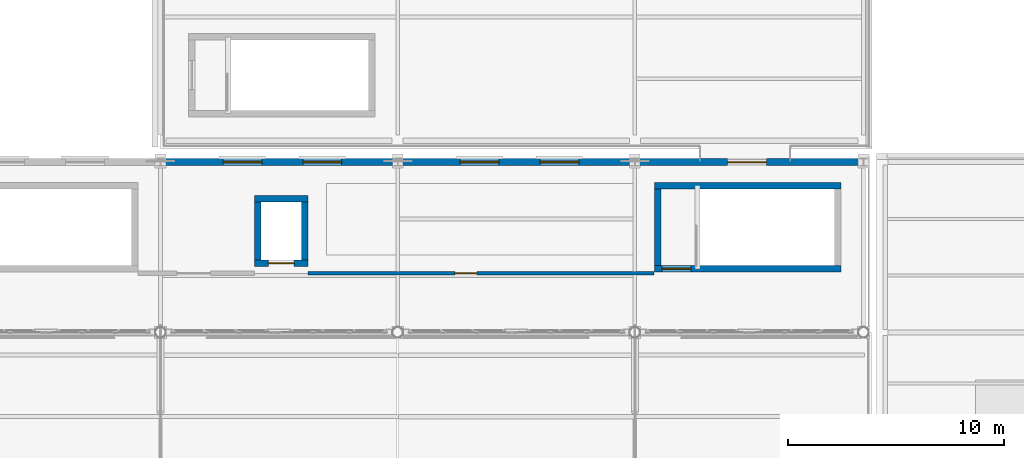
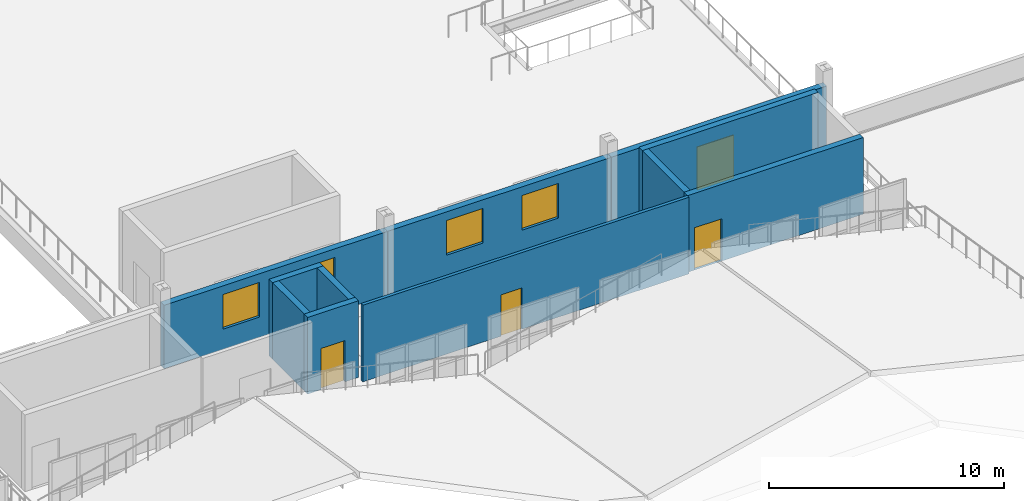
# One storey, part 96 of 120: 11 walls, 4 doors, 4 windows, 8 openings.
"""IFC4 building model written with IfcOpenShell, lengths in metres."""

from ifc_helpers import new_model, si_unit, direction, frame, frame_2d, origin, place, context, subcontext, project, spatial, rectangle, extrude, material, layer, layer_set, type_object, element, fill, save


model = new_model("IFC4")

# Units and contexts
model_context = context("Model", 3, precision=1e-05, world=origin(), true_north=direction((0.0, 1.0)))
body_context = subcontext(model_context, "Body", "Model", "MODEL_VIEW")
ifc_project = project(units=[si_unit("LENGTHUNIT", "METRE"), si_unit("AREAUNIT", "SQUARE_METRE"), si_unit("VOLUMEUNIT", "CUBIC_METRE"), si_unit("PLANEANGLEUNIT", "RADIAN"), si_unit("MASSUNIT", "GRAM", prefix="KILO")], contexts=[model_context])

# Site, building, storey
site_placement = place(None, origin())
site = spatial("IfcSite", under=ifc_project, at=site_placement, CompositionType="ELEMENT")
building_placement = place(site_placement, origin())
building = spatial("IfcBuilding", under=site, at=building_placement, Name="Caurita Quay Ferry Terminal", CompositionType="ELEMENT")
storey_placement = place(building_placement, frame((0.0, 0.0, 9.89990234375)))
storey = spatial("IfcBuildingStorey", under=building, at=storey_placement, Name="L02", CompositionType="ELEMENT", Elevation=9.89990234375)

# Wall, opening, door
ifc_material_1 = material(Name="Reinforced concrete C35/45", Category="concrete")
ifc_layer_1 = layer(ifc_material_1, 0.300048828125, Name="Interior shear wall 300 mm")
ifc_layer_set_1 = layer_set([ifc_layer_1], Name="Reinforced concrete C35/45")
wall_type_1 = type_object("IfcWallType", Name="WL-CORE-300", PredefinedType="SHEAR", material=ifc_layer_set_1)
wall_1_placement = place(storey_placement, frame((122.10009765625, 65.64990234375, 0.0), z_axis=(0.0, 0.0, 1.0), x_axis=(1.0, 0.0, 0.0)))
wall_1 = element("IfcWall", 1, at=wall_1_placement, inside=storey, type_object=wall_type_1, Name="L02 ST-09 Core Wall South", PredefinedType="SHEAR", context=body_context, shape_type="SweptSolid", body=[
    extrude(rectangle(XDim=8.64990234375, YDim=0.300048828125, at=frame_2d((4.324951171875, 0.0))), origin(), (0.0, 0.0, 1.0), 3.989990234375),
])
opening_1_placement = place(wall_1_placement, frame((0.35009765625, 0.0, 0.0)))
opening_1 = element("IfcOpeningElement", 2, at=opening_1_placement, cuts=wall_1, Name="Opening SD-01", PredefinedType="OPENING", context=body_context, shape_type="SweptSolid", body=[
    extrude(rectangle(XDim=1.35009765625, YDim=2.199951171875, at=frame_2d((0.675048828125, 1.10009765625))), frame((0.0, 0.159912109375, 0.0), z_axis=(0.0, -1.0, 0.0), x_axis=(1.0, 0.0, 0.0)), (0.0, 0.0, 1.0), 0.320068359375),
])
ifc_material_2 = material(Name="Anodized aluminium 6063-T6", Category="aluminium")
door_type_1 = type_object("IfcDoorType", Name="DR-ST-1200", OperationType="NOTDEFINED", PredefinedType="DOOR", material=ifc_material_2)
door_1_placement = place(opening_1_placement, origin())
door_1 = element("IfcDoor", 3, at=door_1_placement, inside=storey, type_object=door_type_1, Name="L02 Exit Stair ST-09 Fire Door", OperationType="SINGLE_SWING_LEFT", OverallHeight=2.199951171875, OverallWidth=1.35009765625, PredefinedType="DOOR", context=body_context, shape_type="SweptSolid", body=[
    extrude(rectangle(XDim=1.35009765625, YDim=2.199951171875, at=frame_2d((0.675048828125, 1.10009765625))), frame((0.0, 0.02490234375, 0.0), z_axis=(0.0, -1.0, 0.0), x_axis=(1.0, 0.0, 0.0)), (0.0, 0.0, 1.0), 0.050048828125),
])
fill(opening_1, door_1)

# Walls
wall_2_placement = place(storey_placement, frame((130.75, 69.510009765625, 0.0), z_axis=(0.0, 0.0, 1.0), x_axis=(-1.0, 0.0, 0.0)))
element("IfcWall", 4, at=wall_2_placement, inside=storey, type_object=wall_type_1, Name="L02 ST-09 Core Wall North", PredefinedType="SHEAR", context=body_context, shape_type="SweptSolid", body=[
    extrude(rectangle(XDim=8.64990234375, YDim=0.300048828125, at=frame_2d((4.324951171875, 0.0))), origin(), (0.0, 0.0, 1.0), 3.989990234375),
])
wall_3_placement = place(storey_placement, frame((122.25, 69.360107421875, 0.0), z_axis=(0.0, 0.0, 1.0), x_axis=(0.0, -1.0, 0.0)))
element("IfcWall", 5, at=wall_3_placement, inside=storey, type_object=wall_type_1, Name="L02 ST-09 Core Wall West", PredefinedType="SHEAR", context=body_context, shape_type="SweptSolid", body=[
    extrude(rectangle(XDim=3.56005859375, YDim=0.300048828125, at=frame_2d((1.780029296875, 0.0))), origin(), (0.0, 0.0, 1.0), 3.989990234375),
])

# Wall, opening, door
wall_4_placement = place(storey_placement, frame((103.554931640625, 65.905029296875, 0.0), z_axis=(0.0, 0.0, 1.0), x_axis=(1.0, 0.0, 0.0)))
wall_4 = element("IfcWall", 6, at=wall_4_placement, inside=storey, type_object=wall_type_1, Name="L02 Lift LP-03 Shaft Wall South", PredefinedType="SHEAR", context=body_context, shape_type="SweptSolid", body=[
    extrude(rectangle(XDim=2.489990234375, YDim=0.300048828125, at=frame_2d((1.2451171875, 0.0))), origin(), (0.0, 0.0, 1.0), 3.989990234375),
])
opening_2_placement = place(wall_4_placement, frame((0.64501953125, 0.0, 0.0)))
opening_2 = element("IfcOpeningElement", 7, at=opening_2_placement, cuts=wall_4, Name="Opening LD-02", PredefinedType="OPENING", context=body_context, shape_type="SweptSolid", body=[
    extrude(rectangle(XDim=1.199951171875, YDim=2.14990234375, at=frame_2d((0.60009765625, 1.074951171875))), frame((0.0, 0.159912109375, 0.0), z_axis=(0.0, -1.0, 0.0), x_axis=(1.0, 0.0, 0.0)), (0.0, 0.0, 1.0), 0.320068359375),
])
ifc_material_3 = material(Name="Bronze architectural metalwork", Category="metal")
door_type_2 = type_object("IfcDoorType", Name="DR-LD-02", OperationType="DOUBLE_DOOR_SLIDING", PredefinedType="DOOR", material=ifc_material_3)
door_2_placement = place(opening_2_placement, frame((1.199951171875, 0.0, 0.0), z_axis=(0.0, 0.0, 1.0), x_axis=(-1.0, 0.0, 0.0)))
door_2 = element("IfcDoor", 8, at=door_2_placement, inside=storey, type_object=door_type_2, Name="L02 Lift LP-03 Sliding Landing Door", OperationType="DOUBLE_DOOR_SLIDING", OverallHeight=2.14990234375, OverallWidth=1.199951171875, PredefinedType="DOOR", context=body_context, shape_type="SweptSolid", body=[
    extrude(rectangle(XDim=1.199951171875, YDim=2.14990234375, at=frame_2d((0.60009765625, 1.074951171875))), frame((0.0, 0.02490234375, 0.0), z_axis=(0.0, -1.0, 0.0), x_axis=(1.0, 0.0, 0.0)), (0.0, 0.0, 1.0), 0.050048828125),
])
fill(opening_2, door_2)

# Walls
wall_5_placement = place(storey_placement, frame((106.044921875, 68.89501953125, 0.0), z_axis=(0.0, 0.0, 1.0), x_axis=(-1.0, 0.0, 0.0)))
element("IfcWall", 9, at=wall_5_placement, inside=storey, type_object=wall_type_1, Name="L02 Lift LP-03 Shaft Wall North", PredefinedType="SHEAR", context=body_context, shape_type="SweptSolid", body=[
    extrude(rectangle(XDim=2.489990234375, YDim=0.300048828125, at=frame_2d((1.2451171875, 0.0))), origin(), (0.0, 0.0, 1.0), 3.989990234375),
])
for number, where, z_axis, x_axis, name in (
    (10, (103.705078125, 68.7451171875, 0.0), (0.0, 0.0, 1.0), (0.0, -1.0, 0.0), "L02 Lift LP-03 Shaft Wall West"),
    (11, (105.89501953125, 66.054931640625, 0.0), (0.0, 0.0, 1.0), (0.0, 1.0, 0.0), "L02 Lift LP-03 Shaft Wall East"),
):
    element("IfcWall", number, at=place(storey_placement, frame(where, z_axis=z_axis, x_axis=x_axis)), inside=storey, type_object=wall_type_1, Name=name, PredefinedType="SHEAR", context=body_context, shape_type="SweptSolid", body=[
        extrude(rectangle(XDim=2.690185546875, YDim=0.300048828125, at=frame_2d((1.34521484375, 0.0))), origin(), (0.0, 0.0, 1.0), 3.989990234375),
    ])

# Wall, openings, windows
ifc_material_4 = material(Name="Warm-white lime stucco masonry", Category="masonry")
ifc_layer_2 = layer(ifc_material_4, 0.31005859375, Name="Exterior solidwall wall 310 mm")
ifc_layer_set_2 = layer_set([ifc_layer_2], Name="Warm-white lime stucco masonry")
wall_type_2 = type_object("IfcWallType", Name="WL-EXT-310", PredefinedType="SOLIDWALL", material=ifc_layer_set_2)
wall_6_placement = place(storey_placement, frame((110.1962890625, 70.60009765625, 0.0), z_axis=(0.0, 0.0, 1.0), x_axis=(-1.0, 0.0, 0.0)))
wall_6 = element("IfcWall", 12, at=wall_6_placement, inside=storey, type_object=wall_type_2, Name="L02 Exterior Wall EW-L02-197", PredefinedType="SOLIDWALL", context=body_context, shape_type="SweptSolid", body=[
    extrude(rectangle(XDim=10.99267578125, YDim=0.31005859375, at=frame_2d((5.496337890625, 0.0))), origin(), (0.0, 0.0, 1.0), 3.302001953125),
])
opening_3_placement = place(wall_6_placement, frame((2.596435546875, 0.0, 1.050048828125)))
opening_3 = element("IfcOpeningElement", 13, at=opening_3_placement, cuts=wall_6, Name="Opening W-09", PredefinedType="OPENING", context=body_context, shape_type="SweptSolid", body=[
    extrude(rectangle(XDim=1.800048828125, YDim=1.800048828125, at=frame_2d((0.89990234375, 0.89990234375))), frame((0.0, 0.1650390625, 0.0), z_axis=(0.0, -1.0, 0.0), x_axis=(1.0, 0.0, 0.0)), (0.0, 0.0, 1.0), 0.330078125),
])
opening_4_placement = place(wall_6_placement, frame((6.29638671875, 0.0, 1.050048828125)))
opening_4 = element("IfcOpeningElement", 14, at=opening_4_placement, cuts=wall_6, Name="Opening W-09", PredefinedType="OPENING", context=body_context, shape_type="SweptSolid", body=[
    extrude(rectangle(XDim=1.800048828125, YDim=1.800048828125, at=frame_2d((0.89990234375, 0.89990234375))), frame((0.0, 0.1650390625, 0.0), z_axis=(0.0, -1.0, 0.0), x_axis=(1.0, 0.0, 0.0)), (0.0, 0.0, 1.0), 0.330078125),
])
ifc_material_5 = material(Name="Laminated solar-control insulated glass", Category="glass")
window_type = type_object("IfcWindowType", Name="WIN-SC-1818", PartitioningType="SINGLE_PANEL", PredefinedType="WINDOW", material=ifc_material_5)
window_1_placement = place(opening_3_placement, origin())
window_1 = element("IfcWindow", 15, at=window_1_placement, inside=storey, type_object=window_type, Name="L02 Casement Window WN-L02-303", OverallHeight=1.800048828125, OverallWidth=1.800048828125, PartitioningType="SINGLE_PANEL", PredefinedType="WINDOW", context=body_context, shape_type="SweptSolid", body=[
    extrude(rectangle(XDim=1.800048828125, YDim=1.800048828125, at=frame_2d((0.89990234375, 0.89990234375))), frame((0.0, 0.030029296875, 0.0), z_axis=(0.0, -1.0, 0.0), x_axis=(1.0, 0.0, 0.0)), (0.0, 0.0, 1.0), 0.06005859375),
])
fill(opening_3, window_1)
window_2_placement = place(opening_4_placement, origin())
window_2 = element("IfcWindow", 16, at=window_2_placement, inside=storey, type_object=window_type, Name="L02 Casement Window WN-L02-304", OverallHeight=1.800048828125, OverallWidth=1.800048828125, PartitioningType="SINGLE_PANEL", PredefinedType="WINDOW", context=body_context, shape_type="SweptSolid", body=[
    extrude(rectangle(XDim=1.800048828125, YDim=1.800048828125, at=frame_2d((0.89990234375, 0.89990234375))), frame((0.0, 0.030029296875, 0.0), z_axis=(0.0, -1.0, 0.0), x_axis=(1.0, 0.0, 0.0)), (0.0, 0.0, 1.0), 0.06005859375),
])
fill(opening_4, window_2)

wall_7_placement = place(storey_placement, frame((121.1962890625, 70.60009765625, 0.0), z_axis=(0.0, 0.0, 1.0), x_axis=(-1.0, 0.0, 0.0)))
wall_7 = element("IfcWall", 17, at=wall_7_placement, inside=storey, type_object=wall_type_2, Name="L02 Exterior Wall EW-L02-198", PredefinedType="SOLIDWALL", context=body_context, shape_type="SweptSolid", body=[
    extrude(rectangle(XDim=10.99267578125, YDim=0.31005859375, at=frame_2d((5.496337890625, 0.0))), origin(), (0.0, 0.0, 1.0), 3.302001953125),
])
opening_5_placement = place(wall_7_placement, frame((2.596435546875, 0.0, 1.050048828125)))
opening_5 = element("IfcOpeningElement", 18, at=opening_5_placement, cuts=wall_7, Name="Opening W-09", PredefinedType="OPENING", context=body_context, shape_type="SweptSolid", body=[
    extrude(rectangle(XDim=1.800048828125, YDim=1.800048828125, at=frame_2d((0.89990234375, 0.89990234375))), frame((0.0, 0.1650390625, 0.0), z_axis=(0.0, -1.0, 0.0), x_axis=(1.0, 0.0, 0.0)), (0.0, 0.0, 1.0), 0.330078125),
])
opening_6_placement = place(wall_7_placement, frame((6.29638671875, 0.0, 1.050048828125)))
opening_6 = element("IfcOpeningElement", 19, at=opening_6_placement, cuts=wall_7, Name="Opening W-09", PredefinedType="OPENING", context=body_context, shape_type="SweptSolid", body=[
    extrude(rectangle(XDim=1.800048828125, YDim=1.800048828125, at=frame_2d((0.89990234375, 0.89990234375))), frame((0.0, 0.1650390625, 0.0), z_axis=(0.0, -1.0, 0.0), x_axis=(1.0, 0.0, 0.0)), (0.0, 0.0, 1.0), 0.330078125),
])
window_3_placement = place(opening_5_placement, origin())
window_3 = element("IfcWindow", 20, at=window_3_placement, inside=storey, type_object=window_type, Name="L02 Casement Window WN-L02-305", OverallHeight=1.800048828125, OverallWidth=1.800048828125, PartitioningType="SINGLE_PANEL", PredefinedType="WINDOW", context=body_context, shape_type="SweptSolid", body=[
    extrude(rectangle(XDim=1.800048828125, YDim=1.800048828125, at=frame_2d((0.89990234375, 0.89990234375))), frame((0.0, 0.030029296875, 0.0), z_axis=(0.0, -1.0, 0.0), x_axis=(1.0, 0.0, 0.0)), (0.0, 0.0, 1.0), 0.06005859375),
])
fill(opening_5, window_3)
window_4_placement = place(opening_6_placement, origin())
window_4 = element("IfcWindow", 21, at=window_4_placement, inside=storey, type_object=window_type, Name="L02 Casement Window WN-L02-306", OverallHeight=1.800048828125, OverallWidth=1.800048828125, PartitioningType="SINGLE_PANEL", PredefinedType="WINDOW", context=body_context, shape_type="SweptSolid", body=[
    extrude(rectangle(XDim=1.800048828125, YDim=1.800048828125, at=frame_2d((0.89990234375, 0.89990234375))), frame((0.0, 0.030029296875, 0.0), z_axis=(0.0, -1.0, 0.0), x_axis=(1.0, 0.0, 0.0)), (0.0, 0.0, 1.0), 0.06005859375),
])
fill(opening_6, window_4)

# Wall, opening, door
wall_8_placement = place(storey_placement, frame((131.79638671875, 70.60009765625, 0.0), z_axis=(0.0, 0.0, 1.0), x_axis=(-1.0, 0.0, 0.0)))
wall_8 = element("IfcWall", 22, at=wall_8_placement, inside=storey, type_object=wall_type_2, Name="L02 Exterior Wall EW-L02-199", PredefinedType="SOLIDWALL", context=body_context, shape_type="SweptSolid", body=[
    extrude(rectangle(XDim=10.5927734375, YDim=0.31005859375, at=frame_2d((5.29638671875, 0.0))), origin(), (0.0, 0.0, 1.0), 3.302001953125),
])
opening_7_placement = place(wall_8_placement, frame((4.496337890625, 0.0, 0.0)))
opening_7 = element("IfcOpeningElement", 23, at=opening_7_placement, cuts=wall_8, Name="Opening TD-03", PredefinedType="OPENING", context=body_context, shape_type="SweptSolid", body=[
    extrude(rectangle(XDim=1.800048828125, YDim=2.25, at=frame_2d((0.89990234375, 1.125))), frame((0.0, 0.1650390625, 0.0), z_axis=(0.0, -1.0, 0.0), x_axis=(1.0, 0.0, 0.0)), (0.0, 0.0, 1.0), 0.330078125),
])
door_type_3 = type_object("IfcDoorType", Name="DR-TER-1822", OperationType="NOTDEFINED", PredefinedType="DOOR", material=ifc_material_2)
door_3_placement = place(opening_7_placement, frame((1.800048828125, 0.0, 0.0), z_axis=(0.0, 0.0, 1.0), x_axis=(-1.0, 0.0, 0.0)))
door_3 = element("IfcDoor", 24, at=door_3_placement, inside=storey, type_object=door_type_3, Name="Upper Roof Garden Promenade Door TD-RG2", OperationType="SINGLE_SWING_RIGHT", OverallHeight=2.25, OverallWidth=1.800048828125, PredefinedType="DOOR", context=body_context, shape_type="SweptSolid", body=[
    extrude(rectangle(XDim=1.800048828125, YDim=2.25, at=frame_2d((0.89990234375, 1.125))), frame((0.0, 0.02490234375, 0.0), z_axis=(0.0, -1.0, 0.0), x_axis=(1.0, 0.0, 0.0)), (0.0, 0.0, 1.0), 0.050048828125),
])
fill(opening_7, door_3)

ifc_material_6 = material(Name="Gypsum board partition", Category="masonry")
ifc_layer_3 = layer(ifc_material_6, 0.159912109375, Name="Interior partitioning wall 160 mm")
ifc_layer_set_3 = layer_set([ifc_layer_3], Name="Gypsum board partition")
wall_type_3 = type_object("IfcWallType", Name="WL-PART-160", PredefinedType="PARTITIONING", material=ifc_layer_set_3)
wall_9_placement = place(storey_placement, frame((106.050048828125, 65.449951171875, 0.0), z_axis=(0.0, 0.0, 1.0), x_axis=(1.0, 0.0, 0.0)))
wall_9 = element("IfcWall", 25, at=wall_9_placement, inside=storey, type_object=wall_type_3, Name="L02 Interior Partition IW-L02-080", PredefinedType="PARTITIONING", context=body_context, shape_type="SweptSolid", body=[
    extrude(rectangle(XDim=16.0400390625, YDim=0.159912109375, at=frame_2d((8.02001953125, 0.0))), origin(), (0.0, 0.0, 1.0), 3.989990234375),
])
opening_8_placement = place(wall_9_placement, frame((6.800048828125, 0.0, 0.0)))
opening_8 = element("IfcOpeningElement", 26, at=opening_8_placement, cuts=wall_9, Name="Opening ID-08", PredefinedType="OPENING", context=body_context, shape_type="SweptSolid", body=[
    extrude(rectangle(XDim=1.02001953125, YDim=2.14990234375, at=frame_2d((0.510009765625, 1.074951171875))), frame((0.0, 0.08984375, 0.0), z_axis=(0.0, -1.0, 0.0), x_axis=(1.0, 0.0, 0.0)), (0.0, 0.0, 1.0), 0.179931640625),
])
ifc_material_7 = material(Name="Tropical mahogany hardwood", Category="wood")
door_type_4 = type_object("IfcDoorType", Name="DR-AWC-1020", OperationType="NOTDEFINED", PredefinedType="DOOR", material=ifc_material_7)
door_4_placement = place(opening_8_placement, origin())
door_4 = element("IfcDoor", 27, at=door_4_placement, inside=storey, type_object=door_type_4, Name="Port Health Quarantine Suite Door", OperationType="SINGLE_SWING_LEFT", OverallHeight=2.14990234375, OverallWidth=1.02001953125, PredefinedType="DOOR", context=body_context, shape_type="SweptSolid", body=[
    extrude(rectangle(XDim=1.02001953125, YDim=2.14990234375, at=frame_2d((0.510009765625, 1.074951171875))), frame((0.0, 0.02490234375, 0.0), z_axis=(0.0, -1.0, 0.0), x_axis=(1.0, 0.0, 0.0)), (0.0, 0.0, 1.0), 0.050048828125),
])
fill(opening_8, door_4)

save(model, "model.ifc")
